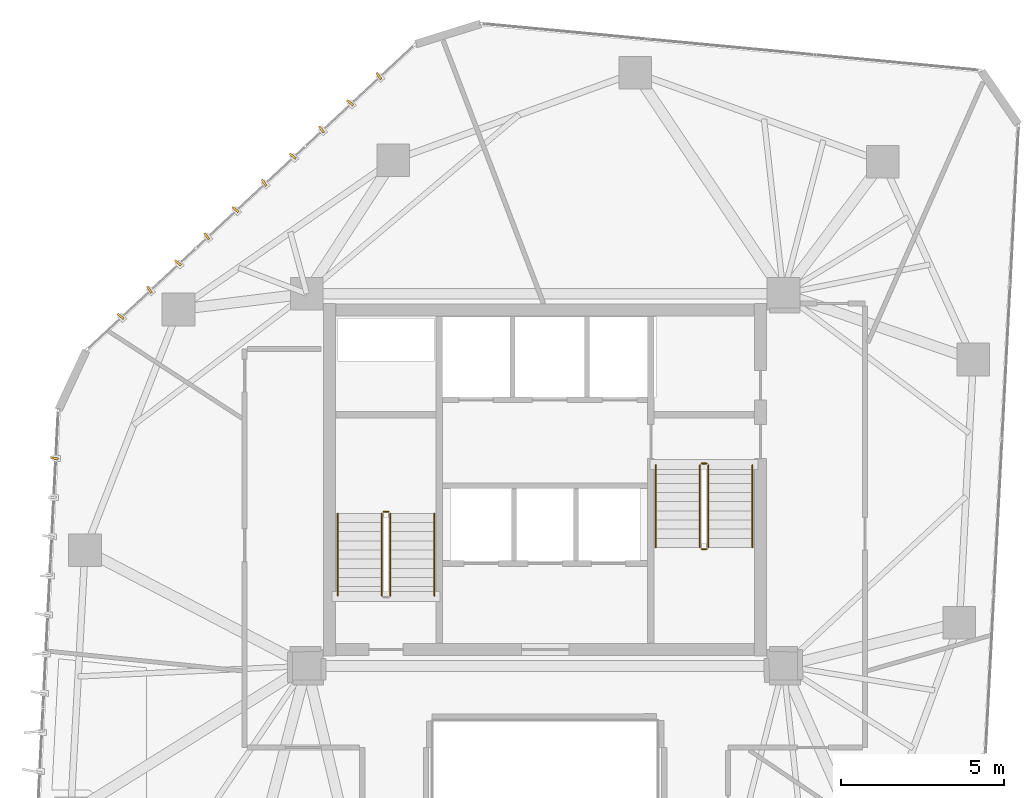
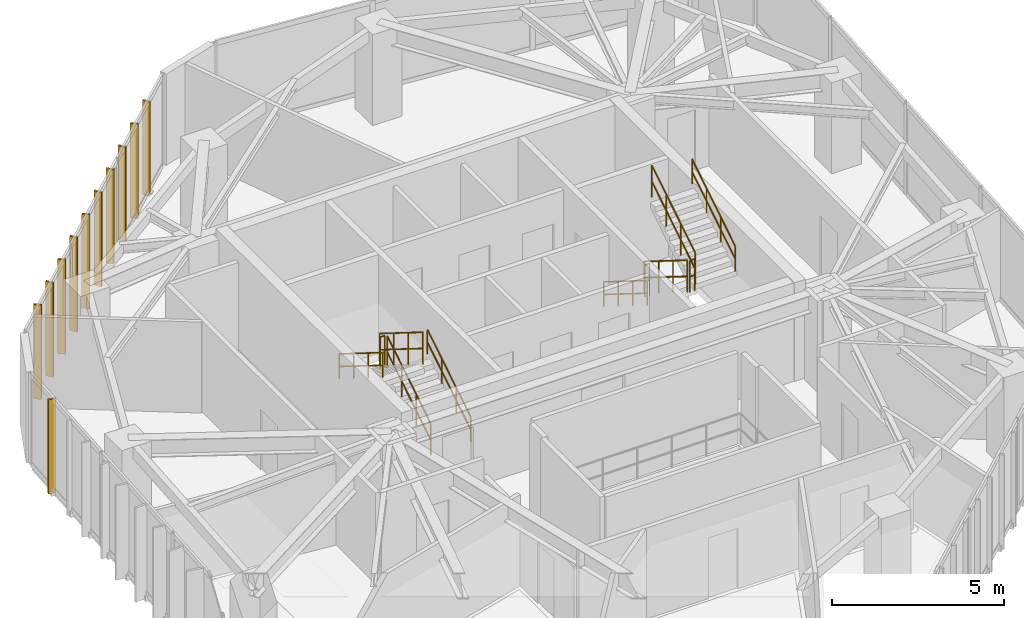
# One storey, part 19 of 19: 11 railings, 11 shading devices.
"""IFC4 building model written with IfcOpenShell, lengths in metres."""

from ifc_helpers import new_model, si_unit, direction, frame, origin, origin_2d, place, context, subcontext, project, spatial, rectangle, circle, extrude, source, transform, mapped, material, layer, layer_set, type_object, type_shapes, element, save


model = new_model("IFC4")

# Units and contexts
model_context = context("Model", 3, precision=1e-05, world=origin(), true_north=direction((0.0, 1.0)))
body_context = subcontext(model_context, "Body", "Model", "MODEL_VIEW")
ifc_project = project(units=[si_unit("LENGTHUNIT", "METRE"), si_unit("AREAUNIT", "SQUARE_METRE"), si_unit("VOLUMEUNIT", "CUBIC_METRE"), si_unit("PLANEANGLEUNIT", "RADIAN"), si_unit("MASSUNIT", "GRAM", prefix="KILO")], contexts=[model_context])

# Site, building, storey
site_placement = place(None, origin())
site = spatial("IfcSite", under=ifc_project, at=site_placement, CompositionType="ELEMENT")
building_placement = place(site_placement, origin())
building = spatial("IfcBuilding", under=site, at=building_placement, Name="Talar Marvaseh", CompositionType="ELEMENT")
storey_placement = place(building_placement, frame((0.0, 0.0, 218.699951171875)))
storey = spatial("IfcBuildingStorey", under=building, at=storey_placement, Name="L57", CompositionType="ELEMENT", Elevation=218.699951171875)

# Railings
ifc_material_1 = material(Name="Stainless Steel Grade 316", Category="steel")
railing_type_1 = type_object("IfcRailingType", Name="Brushed Stainless Wall Pitch Handrail 900", PredefinedType="HANDRAIL", material=ifc_material_1)
railing_1_placement = place(storey_placement, frame((22.610107421875, 27.64990234375, 0.175048828125)))
element("IfcRailing", 1, at=railing_1_placement, inside=storey, type_object=railing_type_1, Name="L57 ST-1 stair handrail 1", PredefinedType="HANDRAIL", context=body_context, shape_type="SweptSolid", body=[
    extrude(circle(Radius=0.02392578125, at=origin_2d()), frame((0.0, 0.0, 0.8759765625), z_axis=(0.0, 0.848007534815, 0.529984170421), x_axis=(-1.0, 0.0, 0.0)), (0.0, 0.0, 1.0), 2.9716796875),
    extrude(circle(Radius=0.02392578125, at=origin_2d()), frame((0.0, 0.0, 0.42578125), z_axis=(0.0, 0.848007534815, 0.529984170421), x_axis=(-1.0, 0.0, 0.0)), (0.0, 0.0, 1.0), 2.9716796875),
    extrude(circle(Radius=0.02099609375, at=origin_2d()), origin(), (0.0, 0.0, 1.0), 0.851806640625),
    extrude(circle(Radius=0.02099609375, at=origin_2d()), frame((0.0, 0.840087890625, 0.52490234375)), (0.0, 0.0, 1.0), 0.851806640625),
    extrude(circle(Radius=0.02099609375, at=origin_2d()), frame((0.0, 1.679931640625, 1.050048828125)), (0.0, 0.0, 1.0), 0.851806640625),
    extrude(circle(Radius=0.02099609375, at=origin_2d()), frame((0.0, 2.52001953125, 1.574951171875)), (0.0, 0.0, 1.0), 0.851806640625),
])
for number, where, name in (
    (2, (19.64990234375, 30.169921875, 1.925048828125), "L57 ST-1 stair handrail 2"),
    (3, (29.389892578125, 31.64990234375, 0.175048828125), "L57 ST-2 stair handrail 1"),
):
    element("IfcRailing", number, at=place(storey_placement, frame(where)), inside=storey, type_object=railing_type_1, Name=name, PredefinedType="HANDRAIL", context=body_context, shape_type="SweptSolid", body=[
        extrude(circle(Radius=0.02392578125, at=origin_2d()), frame((0.0, 0.0, 0.8759765625), z_axis=(0.0, -0.848007534815, 0.529984170421), x_axis=(1.0, 0.0, 0.0)), (0.0, 0.0, 1.0), 2.9716796875),
        extrude(circle(Radius=0.02392578125, at=origin_2d()), frame((0.0, 0.0, 0.42578125), z_axis=(0.0, -0.848007534815, 0.529984170421), x_axis=(1.0, 0.0, 0.0)), (0.0, 0.0, 1.0), 2.9716796875),
        extrude(circle(Radius=0.02099609375, at=origin_2d()), origin(), (0.0, 0.0, 1.0), 0.851806640625),
        extrude(circle(Radius=0.02099609375, at=origin_2d()), frame((0.0, -0.840087890625, 0.52490234375)), (0.0, 0.0, 1.0), 0.851806640625),
        extrude(circle(Radius=0.02099609375, at=origin_2d()), frame((0.0, -1.679931640625, 1.050048828125)), (0.0, 0.0, 1.0), 0.851806640625),
        extrude(circle(Radius=0.02099609375, at=origin_2d()), frame((0.0, -2.52001953125, 1.574951171875)), (0.0, 0.0, 1.0), 0.851806640625),
    ])
railing_2_placement = place(storey_placement, frame((32.35009765625, 29.1298828125, 1.925048828125)))
element("IfcRailing", 4, at=railing_2_placement, inside=storey, type_object=railing_type_1, Name="L57 ST-2 stair handrail 2", PredefinedType="HANDRAIL", context=body_context, shape_type="SweptSolid", body=[
    extrude(circle(Radius=0.02392578125, at=origin_2d()), frame((0.0, 0.0, 0.8759765625), z_axis=(0.0, 0.848007534815, 0.529984170421), x_axis=(-1.0, 0.0, 0.0)), (0.0, 0.0, 1.0), 2.9716796875),
    extrude(circle(Radius=0.02392578125, at=origin_2d()), frame((0.0, 0.0, 0.42578125), z_axis=(0.0, 0.848007534815, 0.529984170421), x_axis=(-1.0, 0.0, 0.0)), (0.0, 0.0, 1.0), 2.9716796875),
    extrude(circle(Radius=0.02099609375, at=origin_2d()), origin(), (0.0, 0.0, 1.0), 0.851806640625),
    extrude(circle(Radius=0.02099609375, at=origin_2d()), frame((0.0, 0.840087890625, 0.52490234375)), (0.0, 0.0, 1.0), 0.851806640625),
    extrude(circle(Radius=0.02099609375, at=origin_2d()), frame((0.0, 1.679931640625, 1.050048828125)), (0.0, 0.0, 1.0), 0.851806640625),
    extrude(circle(Radius=0.02099609375, at=origin_2d()), frame((0.0, 2.52001953125, 1.574951171875)), (0.0, 0.0, 1.0), 0.851806640625),
])
railing_type_2 = type_object("IfcRailingType", Name="Painted Steel Core Stair Well Guardrail 1150", PredefinedType="GUARDRAIL", material=ifc_material_1)
railing_3_placement = place(storey_placement, frame((21.260009765625, 27.64990234375, 0.175048828125)))
element("IfcRailing", 5, at=railing_3_placement, inside=storey, type_object=railing_type_2, Name="L57 ST-1 stair guard 1", PredefinedType="GUARDRAIL", context=body_context, shape_type="SweptSolid", body=[
    extrude(circle(Radius=0.02392578125, at=origin_2d()), frame((0.0, 0.0, 1.1259765625), z_axis=(0.0, 0.848007534815, 0.529984170421), x_axis=(-1.0, 0.0, 0.0)), (0.0, 0.0, 1.0), 2.9716796875),
    extrude(circle(Radius=0.02392578125, at=origin_2d()), frame((0.0, 0.0, 0.55078125), z_axis=(0.0, 0.848007534815, 0.529984170421), x_axis=(-1.0, 0.0, 0.0)), (0.0, 0.0, 1.0), 2.9716796875),
    extrude(circle(Radius=0.02099609375, at=origin_2d()), origin(), (0.0, 0.0, 1.0), 1.101806640625),
    extrude(circle(Radius=0.02099609375, at=origin_2d()), frame((0.0, 0.840087890625, 0.52490234375)), (0.0, 0.0, 1.0), 1.101806640625),
    extrude(circle(Radius=0.02099609375, at=origin_2d()), frame((0.0, 1.679931640625, 1.050048828125)), (0.0, 0.0, 1.0), 1.101806640625),
    extrude(circle(Radius=0.02099609375, at=origin_2d()), frame((0.0, 2.52001953125, 1.574951171875)), (0.0, 0.0, 1.0), 1.101806640625),
])
railing_4_placement = place(storey_placement, frame((21.2099609375, 30.219970703125, 1.75)))
element("IfcRailing", 6, at=railing_4_placement, inside=storey, type_object=railing_type_2, Name="L57 ST-1 stair guard 2", PredefinedType="GUARDRAIL", context=body_context, shape_type="SweptSolid", body=[
    extrude(circle(Radius=0.02392578125, at=origin_2d()), frame((0.0, 0.0, 1.1259765625), z_axis=(-1.0, 0.0, 0.0), x_axis=(0.0, -1.0, 0.0)), (0.0, 0.0, 1.0), 0.159912109375),
    extrude(circle(Radius=0.02392578125, at=origin_2d()), frame((0.0, 0.0, 0.55078125), z_axis=(-1.0, 0.0, 0.0), x_axis=(0.0, -1.0, 0.0)), (0.0, 0.0, 1.0), 0.159912109375),
    extrude(circle(Radius=0.02099609375, at=origin_2d()), origin(), (0.0, 0.0, 1.0), 1.101806640625),
    extrude(circle(Radius=0.02099609375, at=origin_2d()), frame((-0.159912109375, 0.0, 0.0)), (0.0, 0.0, 1.0), 1.101806640625),
])
for number, where, name in (
    (7, (21.0, 30.169921875, 1.925048828125), "L57 ST-1 stair guard 3"),
    (8, (30.739990234375, 31.64990234375, 0.175048828125), "L57 ST-2 stair guard 1"),
):
    element("IfcRailing", number, at=place(storey_placement, frame(where)), inside=storey, type_object=railing_type_2, Name=name, PredefinedType="GUARDRAIL", context=body_context, shape_type="SweptSolid", body=[
        extrude(circle(Radius=0.02392578125, at=origin_2d()), frame((0.0, 0.0, 1.1259765625), z_axis=(0.0, -0.848007534815, 0.529984170421), x_axis=(1.0, 0.0, 0.0)), (0.0, 0.0, 1.0), 2.9716796875),
        extrude(circle(Radius=0.02392578125, at=origin_2d()), frame((0.0, 0.0, 0.55078125), z_axis=(0.0, -0.848007534815, 0.529984170421), x_axis=(1.0, 0.0, 0.0)), (0.0, 0.0, 1.0), 2.9716796875),
        extrude(circle(Radius=0.02099609375, at=origin_2d()), origin(), (0.0, 0.0, 1.0), 1.101806640625),
        extrude(circle(Radius=0.02099609375, at=origin_2d()), frame((0.0, -0.840087890625, 0.52490234375)), (0.0, 0.0, 1.0), 1.101806640625),
        extrude(circle(Radius=0.02099609375, at=origin_2d()), frame((0.0, -1.679931640625, 1.050048828125)), (0.0, 0.0, 1.0), 1.101806640625),
        extrude(circle(Radius=0.02099609375, at=origin_2d()), frame((0.0, -2.52001953125, 1.574951171875)), (0.0, 0.0, 1.0), 1.101806640625),
    ])
railing_5_placement = place(storey_placement, frame((30.7900390625, 29.080078125, 1.75)))
element("IfcRailing", 9, at=railing_5_placement, inside=storey, type_object=railing_type_2, Name="L57 ST-2 stair guard 2", PredefinedType="GUARDRAIL", context=body_context, shape_type="SweptSolid", body=[
    extrude(circle(Radius=0.02392578125, at=origin_2d()), frame((0.0, 0.0, 1.1259765625), z_axis=(1.0, 0.0, 0.0), x_axis=(0.0, 1.0, 0.0)), (0.0, 0.0, 1.0), 0.159912109375),
    extrude(circle(Radius=0.02392578125, at=origin_2d()), frame((0.0, 0.0, 0.55078125), z_axis=(1.0, 0.0, 0.0), x_axis=(0.0, 1.0, 0.0)), (0.0, 0.0, 1.0), 0.159912109375),
    extrude(circle(Radius=0.02099609375, at=origin_2d()), origin(), (0.0, 0.0, 1.0), 1.101806640625),
    extrude(circle(Radius=0.02099609375, at=origin_2d()), frame((0.159912109375, 0.0, 0.0)), (0.0, 0.0, 1.0), 1.101806640625),
])
railing_6_placement = place(storey_placement, frame((31.0, 29.1298828125, 1.925048828125)))
element("IfcRailing", 10, at=railing_6_placement, inside=storey, type_object=railing_type_2, Name="L57 ST-2 stair guard 3", PredefinedType="GUARDRAIL", context=body_context, shape_type="SweptSolid", body=[
    extrude(circle(Radius=0.02392578125, at=origin_2d()), frame((0.0, 0.0, 1.1259765625), z_axis=(0.0, 0.848007534815, 0.529984170421), x_axis=(-1.0, 0.0, 0.0)), (0.0, 0.0, 1.0), 2.9716796875),
    extrude(circle(Radius=0.02392578125, at=origin_2d()), frame((0.0, 0.0, 0.55078125), z_axis=(0.0, 0.848007534815, 0.529984170421), x_axis=(-1.0, 0.0, 0.0)), (0.0, 0.0, 1.0), 2.9716796875),
    extrude(circle(Radius=0.02099609375, at=origin_2d()), origin(), (0.0, 0.0, 1.0), 1.101806640625),
    extrude(circle(Radius=0.02099609375, at=origin_2d()), frame((0.0, 0.840087890625, 0.52490234375)), (0.0, 0.0, 1.0), 1.101806640625),
    extrude(circle(Radius=0.02099609375, at=origin_2d()), frame((0.0, 1.679931640625, 1.050048828125)), (0.0, 0.0, 1.0), 1.101806640625),
    extrude(circle(Radius=0.02099609375, at=origin_2d()), frame((0.0, 2.52001953125, 1.574951171875)), (0.0, 0.0, 1.0), 1.101806640625),
])
railing_7_placement = place(storey_placement, frame((30.7900390625, 31.699951171875, 0.0)))
element("IfcRailing", 11, at=railing_7_placement, inside=storey, type_object=railing_type_2, Name="L57 ST-2 stair guard 4", PredefinedType="GUARDRAIL", context=body_context, shape_type="SweptSolid", body=[
    extrude(circle(Radius=0.02392578125, at=origin_2d()), frame((0.0, 0.0, 1.1259765625), z_axis=(1.0, 0.0, 0.0), x_axis=(0.0, 1.0, 0.0)), (0.0, 0.0, 1.0), 0.159912109375),
    extrude(circle(Radius=0.02392578125, at=origin_2d()), frame((0.0, 0.0, 0.55078125), z_axis=(1.0, 0.0, 0.0), x_axis=(0.0, 1.0, 0.0)), (0.0, 0.0, 1.0), 0.159912109375),
    extrude(circle(Radius=0.02099609375, at=origin_2d()), origin(), (0.0, 0.0, 1.0), 1.101806640625),
    extrude(circle(Radius=0.02099609375, at=origin_2d()), frame((0.159912109375, 0.0, 0.0)), (0.0, 0.0, 1.0), 1.101806640625),
])

# Shading devices
ifc_material_2 = material(Name="Anodised Champagne Bronze Aluminium", Category="aluminium")
ifc_layer = layer(ifc_material_2, 0.06494140625)
ifc_layer_set = layer_set([ifc_layer], Name="Anodised Champagne Bronze Aluminium")
shading_device_type = type_object("IfcShadingDeviceType", Name="Sawtooth Champagne Bronze Vertical Fin 240", PredefinedType="USERDEFINED", material=ifc_layer_set)
shared_shape = source(origin(), body_context, "Body", "SweptSolid", [
    extrude(rectangle(XDim=0.239990234375, YDim=0.06494140625, at=origin_2d()), origin(), (0.0, 0.0, 1.0), 3.35009765625),
])
type_shapes(shading_device_type, [shared_shape])
for number, where, z_axis, x_axis, name in (
    (12, (10.972900390625, 31.85986328125, -0.1201171875), (0.0, 0.0, 1.0), (-0.981859567954, 0.189609569425, 0.0), "L57 Sawtooth Vertical Solar Fin"),
    (13, (13.0009765625, 36.208984375, -0.1201171875), (0.0, 0.0, 1.0), (-0.776376521753, 0.63026938405, 0.0), "L57 Sawtooth Vertical Solar Fin"),
    (14, (13.879638671875, 37.0263671875, -0.1201171875), (0.0, 0.0, 1.0), (-0.572575225515, 0.819852188584, 0.0), "L57 Sawtooth Vertical Solar Fin"),
    (15, (14.75830078125, 37.84375, -0.1201171875), (0.0, 0.0, 1.0), (-0.776376521753, 0.63026938405, 0.0), "L57 Sawtooth Vertical Solar Fin"),
    (16, (15.63671875, 38.6611328125, -0.1201171875), (0.0, 0.0, 1.0), (-0.572575225515, 0.819852188584, 0.0), "L57 Sawtooth Vertical Solar Fin"),
    (17, (16.515380859375, 39.478515625, -0.1201171875), (0.0, 0.0, 1.0), (-0.776376521753, 0.63026938405, 0.0), "L57 Sawtooth Vertical Solar Fin"),
    (18, (17.39404296875, 40.2958984375, -0.1201171875), (0.0, 0.0, 1.0), (-0.572575225515, 0.819852188584, 0.0), "L57 Sawtooth Vertical Solar Fin"),
    (19, (18.272705078125, 41.11328125, -0.1201171875), (0.0, 0.0, 1.0), (-0.776376521753, 0.63026938405, 0.0), "L57 Sawtooth Vertical Solar Fin"),
    (20, (19.151123046875, 41.930419921875, -0.1201171875), (0.0, 0.0, 1.0), (-0.572575225515, 0.819852188584, 0.0), "L57 Sawtooth Vertical Solar Fin"),
    (21, (20.02978515625, 42.747802734375, -0.1201171875), (0.0, 0.0, 1.0), (-0.776376521753, 0.63026938405, 0.0), "L57 Sawtooth Vertical Solar Fin"),
    (22, (20.908203125, 43.565185546875, -0.1201171875), (0.0, 0.0, 1.0), (-0.572575225515, 0.819852188584, 0.0), "L57 Sawtooth Vertical Solar Fin"),
):
    element("IfcShadingDevice", number, at=place(storey_placement, frame(where, z_axis=z_axis, x_axis=x_axis)), inside=storey, type_object=shading_device_type, Name=name, ObjectType="FIN", PredefinedType="USERDEFINED", context=body_context, shape_type="MappedRepresentation", body=[
        mapped(shared_shape, transform((0.0, 0.0, 0.0), x_axis=(1.0, 0.0, 0.0), y_axis=(0.0, 1.0, 0.0), z_axis=(0.0, 0.0, 1.0), scale=1.0)),
    ])

save(model, "model.ifc")
